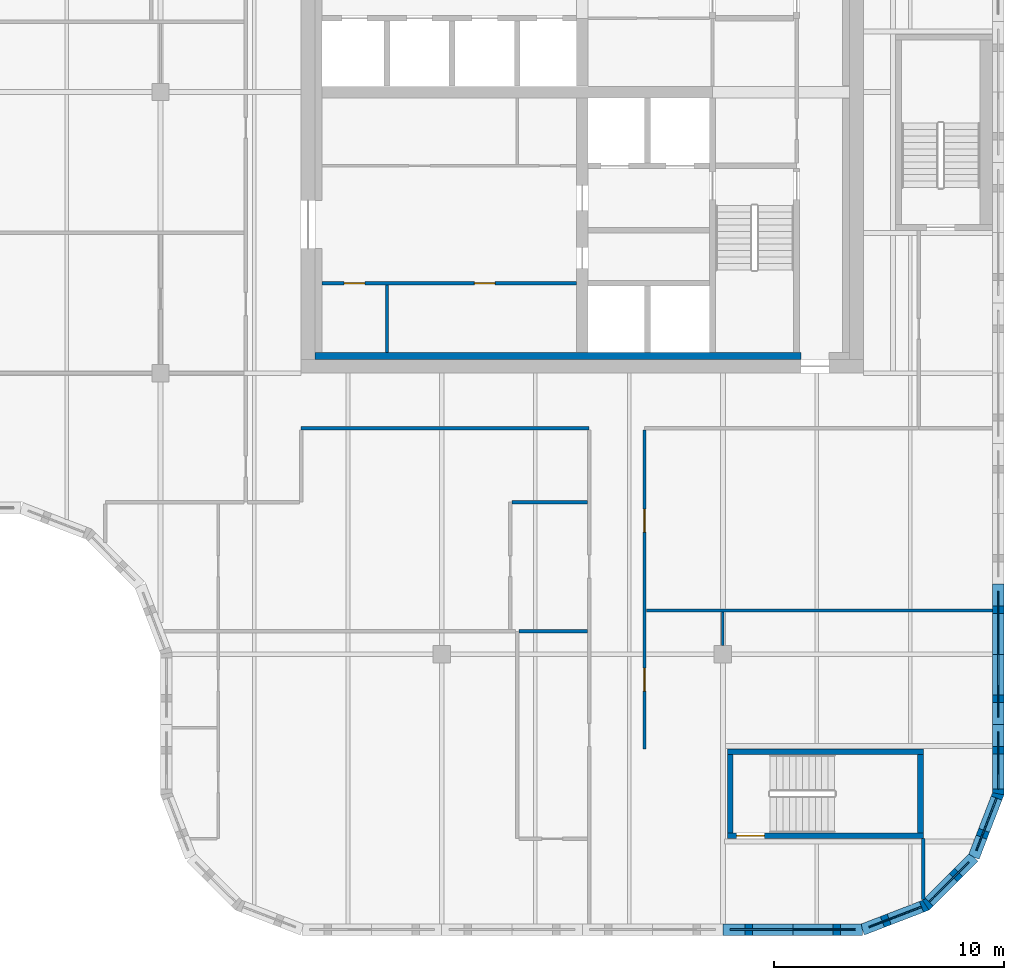
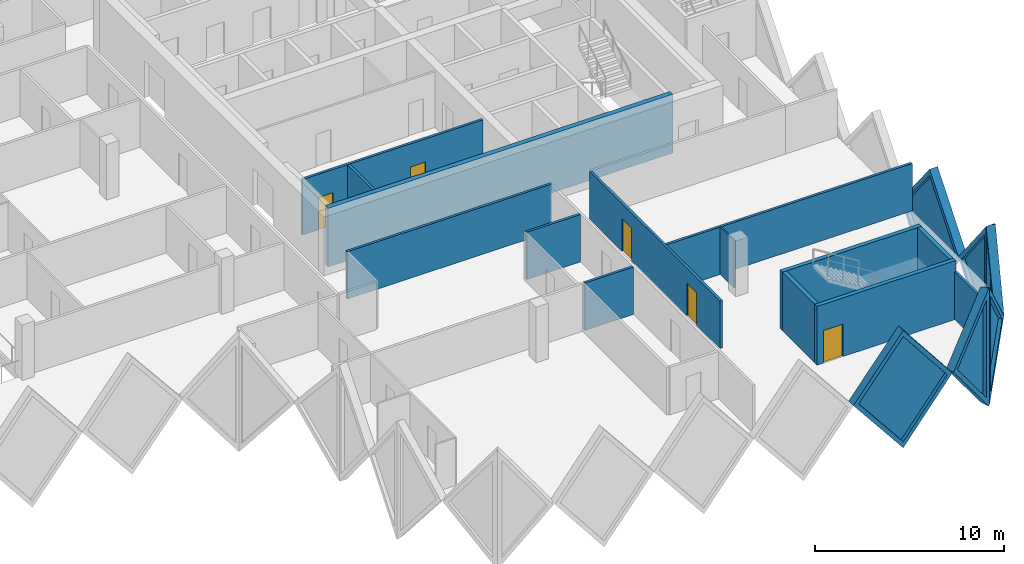
# One storey, part 5 of 12: 20 walls, 6 plates, 5 doors, 11 openings.
"""IFC4 building model written with IfcOpenShell, lengths in metres."""

from ifc_helpers import new_model, si_unit, direction, frame, frame_2d, origin, place, context, subcontext, project, spatial, polyline, rectangle, outline, extrude, faceted_brep, source, transform, mapped, material, layer, layer_set, type_object, element, fill, save


model = new_model("IFC4")

# Units and contexts
model_context = context("Model", 3, precision=1e-05, world=origin(), true_north=direction((0.0, 1.0)))
body_context = subcontext(model_context, "Body", "Model", "MODEL_VIEW")
ifc_project = project(units=[si_unit("LENGTHUNIT", "METRE"), si_unit("AREAUNIT", "SQUARE_METRE"), si_unit("VOLUMEUNIT", "CUBIC_METRE"), si_unit("PLANEANGLEUNIT", "RADIAN"), si_unit("MASSUNIT", "GRAM", prefix="KILO")], contexts=[model_context])

# Site, building, storey
site_placement = place(None, origin())
site = spatial("IfcSite", under=ifc_project, at=site_placement, CompositionType="ELEMENT")
building_placement = place(site_placement, origin())
building = spatial("IfcBuilding", under=site, at=building_placement, Name="Tessera Gate Towers", CompositionType="ELEMENT")
storey_placement = place(building_placement, frame((0.0, 0.0, 159.199951171875)))
storey = spatial("IfcBuildingStorey", under=building, at=storey_placement, Name="L39", CompositionType="ELEMENT", Elevation=159.199951171875)

# Wall, opening, door
ifc_material_1 = material(Name="Concrete C40/50", Category="concrete")
ifc_layer_1 = layer(ifc_material_1, 0.25)
ifc_layer_set_1 = layer_set([ifc_layer_1], Name="CORE ENCLOSURE WALL 250")
wall_type_1 = type_object("IfcWallType", Name="CORE ENCLOSURE WALL 250", PredefinedType="SOLIDWALL", material=ifc_layer_set_1)
wall_1_placement = place(storey_placement, frame((57.5, 4.324951171875, 0.0), z_axis=(0.0, 0.0, 1.0), x_axis=(-1.0, 0.0, 0.0)))
wall_1 = element("IfcWall", 1, at=wall_1_placement, inside=storey, type_object=wall_type_1, Name="L39 ST4 enclosure wall", PredefinedType="SOLIDWALL", context=body_context, shape_type="SweptSolid", body=[
    extrude(rectangle(XDim=8.5, YDim=0.25, at=frame_2d((4.25, 0.0))), origin(), (0.0, 0.0, 1.0), 3.800048828125),
])
shared_shape_1 = source(origin(), body_context, "Body", "SweptSolid", [
    extrude(rectangle(XDim=1.199951171875, YDim=2.10009765625, at=frame_2d((0.60009765625, 1.050048828125))), frame((0.0, 0.135009765625, 0.0), z_axis=(0.0, -1.0, 0.0), x_axis=(1.0, 0.0, 0.0)), (0.0, 0.0, 1.0), 0.27001953125),
])
opening_1_placement = place(wall_1_placement, frame((6.89990234375, 0.0, 0.0)))
opening_1 = element("IfcOpeningElement", 2, at=opening_1_placement, cuts=wall_1, Name="Opening SD-ST4-1", PredefinedType="OPENING", context=body_context, shape_type="MappedRepresentation", body=[
    mapped(shared_shape_1, transform((0.0, 0.0, 0.0), scale=1.0)),
])
ifc_material_2 = material(Name="Hollow steel fire door", Category="steel")
door_type_1 = type_object("IfcDoorType", Name="CORE DOOR SD 1200x2100", OperationType="NOTDEFINED", PredefinedType="DOOR", material=ifc_material_2)
shared_shape_2 = source(origin(), body_context, "Body", "SweptSolid", [
    extrude(rectangle(XDim=1.199951171875, YDim=2.10009765625, at=frame_2d((0.60009765625, 1.050048828125))), frame((0.0, 0.02490234375, 0.0), z_axis=(0.0, -1.0, 0.0), x_axis=(1.0, 0.0, 0.0)), (0.0, 0.0, 1.0), 0.050048828125),
])
door_1_placement = place(opening_1_placement, origin())
door_1 = element("IfcDoor", 3, at=door_1_placement, inside=storey, type_object=door_type_1, Name="Stair door", OperationType="SINGLE_SWING_RIGHT", OverallHeight=2.10009765625, OverallWidth=1.199951171875, PredefinedType="DOOR", context=body_context, shape_type="MappedRepresentation", body=[
    mapped(shared_shape_2, transform((0.0, 0.0, 0.0), scale=1.0)),
])
fill(opening_1, door_1)

# Walls
wall_2_placement = place(storey_placement, frame((49.125, 4.449951171875, 0.0), z_axis=(0.0, 0.0, 1.0), x_axis=(0.0, 1.0, 0.0)))
element("IfcWall", 4, at=wall_2_placement, inside=storey, type_object=wall_type_1, Name="L39 ST4 enclosure wall", PredefinedType="SOLIDWALL", context=body_context, shape_type="SweptSolid", body=[
    extrude(rectangle(XDim=3.400146484375, YDim=0.25, at=frame_2d((1.7001953125, 0.0))), origin(), (0.0, 0.0, 1.0), 3.800048828125),
])
wall_3_placement = place(storey_placement, frame((49.0, 7.97509765625, 0.0), z_axis=(0.0, 0.0, 1.0), x_axis=(1.0, 0.0, 0.0)))
element("IfcWall", 5, at=wall_3_placement, inside=storey, type_object=wall_type_1, Name="L39 ST4 enclosure wall", PredefinedType="SOLIDWALL", context=body_context, shape_type="SweptSolid", body=[
    extrude(rectangle(XDim=8.5, YDim=0.25, at=frame_2d((4.25, 0.0))), origin(), (0.0, 0.0, 1.0), 3.800048828125),
])
wall_4_placement = place(storey_placement, frame((57.375, 7.85009765625, 0.0), z_axis=(0.0, 0.0, 1.0), x_axis=(0.0, -1.0, 0.0)))
element("IfcWall", 6, at=wall_4_placement, inside=storey, type_object=wall_type_1, Name="L39 ST4 enclosure wall", PredefinedType="SOLIDWALL", context=body_context, shape_type="SweptSolid", body=[
    extrude(rectangle(XDim=3.400146484375, YDim=0.25, at=frame_2d((1.7001953125, 0.0))), origin(), (0.0, 0.0, 1.0), 3.800048828125),
])
ifc_material_3 = material(Name="Concrete C50/60", Category="concrete")
ifc_layer_2 = layer(ifc_material_3, 0.300048828125)
ifc_layer_set_2 = layer_set([ifc_layer_2], Name="CORE WALL THICKENING 300")
wall_type_2 = type_object("IfcWallType", Name="CORE WALL THICKENING 300", PredefinedType="SOLIDWALL", material=ifc_layer_set_2)
wall_5_placement = place(storey_placement, frame((31.10009765625, 25.14990234375, 0.0), z_axis=(0.0, 0.0, 1.0), x_axis=(1.0, 0.0, 0.0)))
element("IfcWall", 7, at=wall_5_placement, inside=storey, type_object=wall_type_2, Name="Core wall thickening S L39", PredefinedType="SOLIDWALL", context=body_context, shape_type="SweptSolid", body=[
    extrude(rectangle(XDim=21.099853515625, YDim=0.300048828125, at=frame_2d((10.5498046875, 0.0))), origin(), (0.0, 0.0, 1.0), 3.800048828125),
])
ifc_material_4 = material(Name="Gypsum board on steel studs, mineral wool", Category="steel")
ifc_layer_3 = layer(ifc_material_4, 0.14990234375)
ifc_layer_set_3 = layer_set([ifc_layer_3], Name="CORRIDOR WALL 150")
wall_type_3 = type_object("IfcWallType", Name="CORRIDOR WALL 150", PredefinedType="PARTITIONING", material=ifc_layer_set_3)
wall_6_placement = place(storey_placement, frame((57.5, 1.55908203125, 0.0), z_axis=(0.0, 0.0, 1.0), x_axis=(0.0, 1.0, 0.0)))
element("IfcWall", 8, at=wall_6_placement, inside=storey, type_object=wall_type_3, Name="T1-L39-PW-002", PredefinedType="PARTITIONING", context=body_context, shape_type="SweptSolid", body=[
    extrude(rectangle(XDim=2.640869140625, YDim=0.14990234375, at=frame_2d((1.3203125, 0.0))), origin(), (0.0, 0.0, 1.0), 3.067138671875),
])

# Wall, openings, doors
wall_7_placement = place(storey_placement, frame((45.39990234375, 21.924072265625, 0.0), z_axis=(0.0, 0.0, 1.0), x_axis=(0.0, -1.0, 0.0)))
wall_7 = element("IfcWall", 9, at=wall_7_placement, inside=storey, type_object=wall_type_3, Name="T1-L39-PW-007", PredefinedType="PARTITIONING", context=body_context, shape_type="SweptSolid", body=[
    extrude(rectangle(XDim=13.823974609375, YDim=0.14990234375, at=frame_2d((6.912109375, 0.0))), origin(), (0.0, 0.0, 1.0), 3.067138671875),
])
shared_shape_3 = source(origin(), body_context, "Body", "SweptSolid", [
    extrude(rectangle(XDim=1.0, YDim=2.10009765625, at=frame_2d((0.5, 1.050048828125))), frame((0.0, 0.0849609375, 0.0), z_axis=(0.0, -1.0, 0.0), x_axis=(1.0, 0.0, 0.0)), (0.0, 0.0, 1.0), 0.169921875),
])
opening_2_placement = place(wall_7_placement, frame((10.323974609375, 0.0, 0.0)))
opening_2 = element("IfcOpeningElement", 10, at=opening_2_placement, cuts=wall_7, Name="Opening D2100FD60-A14-04", PredefinedType="OPENING", context=body_context, shape_type="MappedRepresentation", body=[
    mapped(shared_shape_3, transform((0.0, 0.0, 0.0), scale=1.0)),
])
opening_3_placement = place(wall_7_placement, frame((3.424072265625, 0.0, 0.0)))
opening_3 = element("IfcOpeningElement", 11, at=opening_3_placement, cuts=wall_7, Name="Opening D2100FD60-A14-07", PredefinedType="OPENING", context=body_context, shape_type="MappedRepresentation", body=[
    mapped(shared_shape_3, transform((0.0, 0.0, 0.0), scale=1.0)),
])
ifc_material_5 = material(Name="Timber door leaf in steel frame", Category="steel")
door_type_2 = type_object("IfcDoorType", Name="TENANCY ENTRANCE DOOR 1000 FD60", OperationType="NOTDEFINED", PredefinedType="DOOR", material=ifc_material_5)
shared_shape_4 = source(origin(), body_context, "Body", "SweptSolid", [
    extrude(rectangle(XDim=1.0, YDim=2.10009765625, at=frame_2d((0.5, 1.050048828125))), frame((0.0, 0.02490234375, 0.0), z_axis=(0.0, -1.0, 0.0), x_axis=(1.0, 0.0, 0.0)), (0.0, 0.0, 1.0), 0.050048828125),
])
door_2_placement = place(opening_2_placement, origin())
door_2 = element("IfcDoor", 12, at=door_2_placement, inside=storey, type_object=door_type_2, Name="T1-L39-PD-015", OperationType="SINGLE_SWING_RIGHT", OverallHeight=2.10009765625, OverallWidth=1.0, PredefinedType="DOOR", context=body_context, shape_type="MappedRepresentation", body=[
    mapped(shared_shape_4, transform((0.0, 0.0, 0.0), scale=1.0)),
])
fill(opening_2, door_2)
door_3_placement = place(opening_3_placement, origin())
door_3 = element("IfcDoor", 13, at=door_3_placement, inside=storey, type_object=door_type_2, Name="T1-L39-PD-020", OperationType="SINGLE_SWING_RIGHT", OverallHeight=2.10009765625, OverallWidth=1.0, PredefinedType="DOOR", context=body_context, shape_type="MappedRepresentation", body=[
    mapped(shared_shape_4, transform((0.0, 0.0, 0.0), scale=1.0)),
])
fill(opening_3, door_3)

# Walls
wall_8_placement = place(storey_placement, frame((30.5, 22.0, 0.0), z_axis=(0.0, 0.0, 1.0), x_axis=(1.0, 0.0, 0.0)))
element("IfcWall", 14, at=wall_8_placement, inside=storey, type_object=wall_type_3, Name="T1-L39-PW-022", PredefinedType="PARTITIONING", context=body_context, shape_type="SweptSolid", body=[
    extrude(rectangle(XDim=12.5, YDim=0.14990234375, at=frame_2d((6.25, 0.0))), origin(), (0.0, 0.0, 1.0), 3.067138671875),
])
ifc_material_6 = material(Name="Gypsum board on steel studs", Category="steel")
ifc_layer_4 = layer(ifc_material_6, 0.10009765625)
ifc_layer_set_4 = layer_set([ifc_layer_4], Name="PARTITION 100")
wall_type_4 = type_object("IfcWallType", Name="PARTITION 100", PredefinedType="PARTITIONING", material=ifc_layer_set_4)
wall_9_placement = place(storey_placement, frame((48.800048828125, 12.574951171875, 0.0), z_axis=(0.0, 0.0, 1.0), x_axis=(0.0, 1.0, 0.0)))
element("IfcWall", 15, at=wall_9_placement, inside=storey, type_object=wall_type_4, Name="T1-L39-PW-009", PredefinedType="PARTITIONING", context=body_context, shape_type="SweptSolid", body=[
    extrude(rectangle(XDim=1.449951171875, YDim=0.10009765625, at=frame_2d((0.72509765625, 0.0))), origin(), (0.0, 0.0, 1.0), 3.067138671875),
])

# Wall, openings, doors
ifc_material_7 = material(Name="Gypsum board on steel studs", Category="steel")
ifc_layer_5 = layer(ifc_material_7, 0.14990234375)
ifc_layer_set_5 = layer_set([ifc_layer_5], Name="SERVICE ROOM WALL 150")
wall_type_5 = type_object("IfcWallType", Name="SERVICE ROOM WALL 150", PredefinedType="PARTITIONING", material=ifc_layer_set_5)
wall_10_placement = place(storey_placement, frame((42.449951171875, 28.300048828125, 0.0), z_axis=(0.0, 0.0, 1.0), x_axis=(-1.0, 0.0, 0.0)))
wall_10 = element("IfcWall", 16, at=wall_10_placement, inside=storey, type_object=wall_type_5, Name="L39 service room wall", PredefinedType="PARTITIONING", context=body_context, shape_type="SweptSolid", body=[
    extrude(rectangle(XDim=11.050048828125, YDim=0.14990234375, at=frame_2d((5.52490234375, 0.0))), origin(), (0.0, 0.0, 1.0), 3.60009765625),
])
shared_shape_5 = source(origin(), body_context, "Body", "SweptSolid", [
    extrude(rectangle(XDim=0.89990234375, YDim=2.10009765625, at=frame_2d((0.449951171875, 1.050048828125))), frame((0.0, 0.0849609375, 0.0), z_axis=(0.0, -1.0, 0.0), x_axis=(1.0, 0.0, 0.0)), (0.0, 0.0, 1.0), 0.169921875),
])
opening_4_placement = place(wall_10_placement, frame((9.1875, 0.0, 0.0)))
opening_4 = element("IfcOpeningElement", 17, at=opening_4_placement, cuts=wall_10, Name="Opening RD-T1-26-07", PredefinedType="OPENING", context=body_context, shape_type="MappedRepresentation", body=[
    mapped(shared_shape_5, transform((0.0, 0.0, 0.0), scale=1.0)),
])
opening_5_placement = place(wall_10_placement, frame((3.53759765625, 0.0, 0.0)))
opening_5 = element("IfcOpeningElement", 18, at=opening_5_placement, cuts=wall_10, Name="Opening RD-T1-26-08", PredefinedType="OPENING", context=body_context, shape_type="MappedRepresentation", body=[
    mapped(shared_shape_5, transform((0.0, 0.0, 0.0), scale=1.0)),
])
ifc_material_8 = material(Name="Hollow steel fire door", Category="steel")
door_type_3 = type_object("IfcDoorType", Name="CORE DOOR RD 900x2100", OperationType="NOTDEFINED", PredefinedType="DOOR", material=ifc_material_8)
shared_shape_6 = source(origin(), body_context, "Body", "SweptSolid", [
    extrude(rectangle(XDim=0.89990234375, YDim=2.10009765625, at=frame_2d((0.449951171875, 1.050048828125))), frame((0.0, 0.02490234375, 0.0), z_axis=(0.0, -1.0, 0.0), x_axis=(1.0, 0.0, 0.0)), (0.0, 0.0, 1.0), 0.050048828125),
])
door_4_placement = place(opening_4_placement, origin())
door_4 = element("IfcDoor", 19, at=door_4_placement, inside=storey, type_object=door_type_3, Name="Core room door", OperationType="SINGLE_SWING_RIGHT", OverallHeight=2.10009765625, OverallWidth=0.89990234375, PredefinedType="DOOR", context=body_context, shape_type="MappedRepresentation", body=[
    mapped(shared_shape_6, transform((0.0, 0.0, 0.0), scale=1.0)),
])
fill(opening_4, door_4)
door_5_placement = place(opening_5_placement, origin())
door_5 = element("IfcDoor", 20, at=door_5_placement, inside=storey, type_object=door_type_3, Name="Core room door", OperationType="SINGLE_SWING_LEFT", OverallHeight=2.10009765625, OverallWidth=0.89990234375, PredefinedType="DOOR", context=body_context, shape_type="MappedRepresentation", body=[
    mapped(shared_shape_6, transform((0.0, 0.0, 0.0), scale=1.0)),
])
fill(opening_5, door_5)

# Walls
wall_11_placement = place(storey_placement, frame((34.22509765625, 25.300048828125, 0.0), z_axis=(0.0, 0.0, 1.0), x_axis=(0.0, 1.0, 0.0)))
element("IfcWall", 21, at=wall_11_placement, inside=storey, type_object=wall_type_5, Name="L39 service room wall", PredefinedType="PARTITIONING", context=body_context, shape_type="SweptSolid", body=[
    extrude(rectangle(XDim=2.925048828125, YDim=0.14990234375, at=frame_2d((1.46240234375, 0.0))), origin(), (0.0, 0.0, 1.0), 3.60009765625),
])
ifc_material_9 = material(Name="Gypsum board on steel studs, mineral wool", Category="steel")
ifc_layer_6 = layer(ifc_material_9, 0.14990234375)
ifc_layer_set_6 = layer_set([ifc_layer_6], Name="TENANCY WALL 150")
wall_type_6 = type_object("IfcWallType", Name="TENANCY WALL 150", PredefinedType="PARTITIONING", material=ifc_layer_set_6)
wall_12_placement = place(storey_placement, frame((39.950927734375, 13.199951171875, 0.0), z_axis=(0.0, 0.0, 1.0), x_axis=(1.0, 0.0, 0.0)))
element("IfcWall", 22, at=wall_12_placement, inside=storey, type_object=wall_type_6, Name="T1-L39-PW-011", PredefinedType="PARTITIONING", context=body_context, shape_type="SweptSolid", body=[
    extrude(rectangle(XDim=2.97314453125, YDim=0.14990234375, at=frame_2d((1.486572265625, 0.0))), origin(), (0.0, 0.0, 1.0), 3.067138671875),
])
wall_13_placement = place(storey_placement, frame((45.47607421875, 14.10009765625, 0.0), z_axis=(0.0, 0.0, 1.0), x_axis=(1.0, 0.0, 0.0)))
element("IfcWall", 23, at=wall_13_placement, inside=storey, type_object=wall_type_6, Name="T1-L39-PW-014", PredefinedType="PARTITIONING", context=body_context, shape_type="SweptSolid", body=[
    extrude(rectangle(XDim=15.02392578125, YDim=0.14990234375, at=frame_2d((7.511962890625, 0.0))), origin(), (0.0, 0.0, 1.0), 3.067138671875),
])
wall_14_placement = place(storey_placement, frame((39.65087890625, 18.800048828125, 0.0), z_axis=(0.0, 0.0, 1.0), x_axis=(1.0, 0.0, 0.0)))
element("IfcWall", 24, at=wall_14_placement, inside=storey, type_object=wall_type_6, Name="T1-L39-PW-020", PredefinedType="PARTITIONING", context=body_context, shape_type="SweptSolid", body=[
    extrude(rectangle(XDim=3.273193359375, YDim=0.14990234375, at=frame_2d((1.63671875, 0.0))), origin(), (0.0, 0.0, 1.0), 3.067138671875),
])

# Wall, opening, plate
ifc_material_10 = material(Name="Precast concrete C60/75 white", Category="concrete")
ifc_layer_7 = layer(ifc_material_10, 0.5)
ifc_layer_set_7 = layer_set([ifc_layer_7], Name="TS1 tessera")
wall_type_7 = type_object("IfcWallType", Name="TS1 tessera", PredefinedType="SOLIDWALL", material=ifc_layer_set_7)
shared_shape_7 = source(origin(), body_context, "Body", "SweptSolid", [
    extrude(outline(polyline([(3.050048828125, 0.0), (6.10009765625, 3.800048828125), (3.050048828125, 7.60009765625), (0.0, 3.800048828125), (3.050048828125, 0.0)])), frame((0.0, 0.25, 0.0), z_axis=(0.0, -1.0, 0.0), x_axis=(1.0, 0.0, 0.0)), (0.0, 0.0, 1.0), 0.5),
])
wall_15_placement = place(storey_placement, frame((60.75, 9.14990234375, -3.800048828125), z_axis=(0.0, 0.0, 1.0), x_axis=(0.0, 1.0, 0.0)))
wall_15 = element("IfcWall", 25, at=wall_15_placement, inside=storey, type_object=wall_type_7, Name="Precast tessera T1 TS1-0648", PredefinedType="SOLIDWALL", context=body_context, shape_type="MappedRepresentation", body=[
    mapped(shared_shape_7, transform((0.0, 0.0, 0.0), scale=1.0)),
])
shared_shape_8 = source(origin(), body_context, "Body", "SweptSolid", [
    extrude(outline(polyline([(3.050048828125, 0.3994140625), (5.779541015625, 3.800048828125), (3.050048828125, 7.20068359375), (0.320556640625, 3.800048828125), (3.050048828125, 0.3994140625)])), frame((0.0, 0.260009765625, 0.0), z_axis=(0.0, -1.0, 0.0), x_axis=(1.0, 0.0, 0.0)), (0.0, 0.0, 1.0), 0.52001953125),
])
opening_6_placement = place(wall_15_placement, origin())
opening_6 = element("IfcOpeningElement", 26, at=opening_6_placement, cuts=wall_15, Name="Opening T1-PL2-1324", PredefinedType="OPENING", context=body_context, shape_type="MappedRepresentation", body=[
    mapped(shared_shape_8, transform((0.0, 0.0, 0.0), scale=1.0)),
])
ifc_material_11 = material(Name="Low-e laminated glass", Category="glass")
ifc_layer_8 = layer(ifc_material_11, 0.06005859375)
ifc_layer_set_8 = layer_set([ifc_layer_8], Name="PL2 rhombic pane")
plate_type = type_object("IfcPlateType", Name="PL2 rhombic pane", PredefinedType="SHEET", material=ifc_layer_set_8)
shared_shape_9 = source(origin(), body_context, "Body", "SweptSolid", [
    extrude(outline(polyline([(3.050048828125, 0.3994140625), (5.779541015625, 3.800048828125), (3.050048828125, 7.20068359375), (0.320556640625, 3.800048828125), (3.050048828125, 0.3994140625)])), frame((0.0, 0.030029296875, 0.0), z_axis=(0.0, -1.0, 0.0), x_axis=(1.0, 0.0, 0.0)), (0.0, 0.0, 1.0), 0.06005859375),
])
plate_1_placement = place(opening_6_placement, origin())
plate_1 = element("IfcPlate", 27, at=plate_1_placement, inside=storey, type_object=plate_type, Name="Glass pane T1 PL2-1324", PredefinedType="SHEET", context=body_context, shape_type="MappedRepresentation", body=[
    mapped(shared_shape_9, transform((0.0, 0.0, 0.0), scale=1.0)),
])
fill(opening_6, plate_1)

shared_shape_10 = source(origin(), body_context, "Body", "Brep", [
    faceted_brep([(3.050048828125, -0.25, 0.0), (6.053466796875, -0.25, 3.800048828125), (3.050048828125, -0.25, 7.60009765625), (0.0, -0.25, 3.800048828125), (0.0, 0.25, 3.800048828125), (3.050048828125, 0.25, 7.60009765625), (6.0068359375, 0.25, 3.85888671875), (6.0068359375, 0.25, 3.7412109375), (3.050048828125, 0.25, 0.0), (6.053466796875, 0.0, 3.800048828125)], [[[0, 1, 2, 3]], [[4, 5, 6, 7, 8]], [[8, 7, 9, 1, 0]], [[6, 5, 2, 1, 9]], [[5, 4, 3, 2]], [[4, 8, 0, 3]], [[9, 7, 6]]]),
])
wall_16_placement = place(storey_placement, frame((48.800048828125, 0.25, -3.800048828125), z_axis=(0.0, 0.0, 1.0), x_axis=(1.0, 0.0, 0.0)))
wall_16 = element("IfcWall", 28, at=wall_16_placement, inside=storey, type_object=wall_type_7, Name="Precast tessera T1 TS1-0647", PredefinedType="SOLIDWALL", context=body_context, shape_type="MappedRepresentation", body=[
    mapped(shared_shape_10, transform((0.0, 0.0, 0.0), scale=1.0)),
])
shared_shape_11 = source(origin(), body_context, "Body", "SweptSolid", [
    extrude(outline(polyline([(3.048583984375, 0.4013671875), (5.73486328125, 3.800048828125), (3.048583984375, 7.19873046875), (0.320556640625, 3.800048828125), (3.048583984375, 0.4013671875)])), frame((0.0, 0.260009765625, 0.0), z_axis=(0.0, -1.0, 0.0), x_axis=(1.0, 0.0, 0.0)), (0.0, 0.0, 1.0), 0.52001953125),
])
opening_7_placement = place(wall_16_placement, origin())
opening_7 = element("IfcOpeningElement", 29, at=opening_7_placement, cuts=wall_16, Name="Opening T1-PL2-1319", PredefinedType="OPENING", context=body_context, shape_type="MappedRepresentation", body=[
    mapped(shared_shape_11, transform((0.0, 0.0, 0.0), scale=1.0)),
])
shared_shape_12 = source(origin(), body_context, "Body", "SweptSolid", [
    extrude(outline(polyline([(3.048583984375, 0.4013671875), (5.73486328125, 3.800048828125), (3.048583984375, 7.19873046875), (0.320556640625, 3.800048828125), (3.048583984375, 0.4013671875)])), frame((0.0, 0.030029296875, 0.0), z_axis=(0.0, -1.0, 0.0), x_axis=(1.0, 0.0, 0.0)), (0.0, 0.0, 1.0), 0.06005859375),
])
plate_2_placement = place(opening_7_placement, origin())
plate_2 = element("IfcPlate", 30, at=plate_2_placement, inside=storey, type_object=plate_type, Name="Glass pane T1 PL2-1319", PredefinedType="SHEET", context=body_context, shape_type="MappedRepresentation", body=[
    mapped(shared_shape_12, transform((0.0, 0.0, 0.0), scale=1.0)),
])
fill(opening_7, plate_2)

ifc_material_12 = material(Name="Precast concrete C60/75 white", Category="concrete")
ifc_layer_9 = layer(ifc_material_12, 0.5)
ifc_layer_set_9 = layer_set([ifc_layer_9], Name="TS3 corner tessera")
wall_type_8 = type_object("IfcWallType", Name="TS3 corner tessera", PredefinedType="SOLIDWALL", material=ifc_layer_set_9)
shared_shape_13 = source(origin(), body_context, "Body", "Brep", [
    faceted_brep([(2.950439453125, -0.25, 0.0), (3.00341796875, -0.25, 0.068359375), (3.00341796875, -0.25, 7.53173828125), (2.950439453125, -0.25, 7.60009765625), (0.0, -0.25, 3.800048828125), (0.046630859375, 0.25, 3.860107421875), (2.897705078125, 0.25, 7.531982421875), (2.897705078125, 0.25, 0.068115234375), (0.046630859375, 0.25, 3.739990234375), (2.950439453125, 0.00048828125, 0.0), (2.950439453125, 0.00048828125, 7.60009765625), (0.0, 0.0, 3.800048828125)], [[[0, 1, 2, 3, 4]], [[5, 6, 7, 8]], [[1, 0, 9]], [[10, 3, 2]], [[6, 5, 11, 4, 3, 10]], [[8, 7, 9, 0, 4, 11]], [[8, 11, 5]], [[1, 9, 7, 6, 10, 2]]]),
])
wall_17_placement = place(storey_placement, frame((54.853515625, 0.25, -3.800048828125), z_axis=(0.0, 0.0, 1.0), x_axis=(0.932970071518, 0.359953949349, 0.0)))
wall_17 = element("IfcWall", 31, at=wall_17_placement, inside=storey, type_object=wall_type_8, Name="Precast corner tessera T1 TS3-0889", PredefinedType="SOLIDWALL", context=body_context, shape_type="MappedRepresentation", body=[
    mapped(shared_shape_13, transform((0.0, 0.0, 0.0), scale=1.0)),
])
shared_shape_14 = source(origin(), body_context, "Body", "SweptSolid", [
    extrude(outline(polyline([(2.75048828125, 6.934814453125), (0.31640625, 3.800048828125), (2.75048828125, 0.665283203125), (2.75048828125, 6.934814453125)])), frame((0.0, 0.260009765625, 0.0), z_axis=(0.0, -1.0, 0.0), x_axis=(1.0, 0.0, 0.0)), (0.0, 0.0, 1.0), 0.52001953125),
])
opening_8_placement = place(wall_17_placement, origin())
opening_8 = element("IfcOpeningElement", 32, at=opening_8_placement, cuts=wall_17, Name="Opening T1-PL2-1320", PredefinedType="OPENING", context=body_context, shape_type="MappedRepresentation", body=[
    mapped(shared_shape_14, transform((0.0, 0.0, 0.0), scale=1.0)),
])
shared_shape_15 = source(origin(), body_context, "Body", "SweptSolid", [
    extrude(outline(polyline([(2.75048828125, 6.934814453125), (0.31640625, 3.800048828125), (2.75048828125, 0.665283203125), (2.75048828125, 6.934814453125)])), frame((0.0, 0.030029296875, 0.0), z_axis=(0.0, -1.0, 0.0), x_axis=(1.0, 0.0, 0.0)), (0.0, 0.0, 1.0), 0.06005859375),
])
plate_3_placement = place(opening_8_placement, origin())
plate_3 = element("IfcPlate", 33, at=plate_3_placement, inside=storey, type_object=plate_type, Name="Glass pane T1 PL2-1320", PredefinedType="SHEET", context=body_context, shape_type="MappedRepresentation", body=[
    mapped(shared_shape_15, transform((0.0, 0.0, 0.0), scale=1.0)),
])
fill(opening_8, plate_3)

shared_shape_16 = source(origin(), body_context, "Body", "Brep", [
    faceted_brep([(0.052978515625, -0.25, 0.0), (2.9970703125, -0.25, 3.800048828125), (0.052978515625, -0.25, 7.60009765625), (0.0, -0.25, 7.531982421875), (0.0, -0.25, 0.068115234375), (0.10595703125, 0.25, 7.53173828125), (2.944091796875, 0.25, 3.8681640625), (2.944091796875, 0.25, 3.73193359375), (0.10595703125, 0.25, 0.068359375), (2.9970703125, 0.000244140625, 3.800048828125), (0.052978515625, 0.0, 0.0), (0.052978515625, 0.0, 7.60009765625)], [[[0, 1, 2, 3, 4]], [[5, 6, 7, 8]], [[8, 7, 9, 1, 0, 10]], [[6, 5, 11, 2, 1, 9]], [[3, 2, 11]], [[10, 0, 4]], [[8, 10, 4, 3, 11, 5]], [[9, 7, 6]]]),
])
wall_18_placement = place(storey_placement, frame((57.56884765625, 1.2744140625, -3.800048828125), z_axis=(0.0, 0.0, 1.0), x_axis=(0.707066050402, 0.707147509625, 0.0)))
wall_18 = element("IfcWall", 34, at=wall_18_placement, inside=storey, type_object=wall_type_8, Name="Precast corner tessera T1 TS3-0890", PredefinedType="SOLIDWALL", context=body_context, shape_type="MappedRepresentation", body=[
    mapped(shared_shape_16, transform((0.0, 0.0, 0.0), scale=1.0)),
])
shared_shape_17 = source(origin(), body_context, "Body", "SweptSolid", [
    extrude(outline(polyline([(0.2529296875, 0.66650390625), (2.680908203125, 3.800048828125), (0.2529296875, 6.933837890625), (0.2529296875, 0.66650390625)])), frame((0.0, 0.260009765625, 0.0), z_axis=(0.0, -1.0, 0.0), x_axis=(1.0, 0.0, 0.0)), (0.0, 0.0, 1.0), 0.52001953125),
])
opening_9_placement = place(wall_18_placement, origin())
opening_9 = element("IfcOpeningElement", 35, at=opening_9_placement, cuts=wall_18, Name="Opening T1-PL2-1321", PredefinedType="OPENING", context=body_context, shape_type="MappedRepresentation", body=[
    mapped(shared_shape_17, transform((0.0, 0.0, 0.0), scale=1.0)),
])
shared_shape_18 = source(origin(), body_context, "Body", "SweptSolid", [
    extrude(outline(polyline([(0.2529296875, 0.66650390625), (2.680908203125, 3.800048828125), (0.2529296875, 6.933837890625), (0.2529296875, 0.66650390625)])), frame((0.0, 0.030029296875, 0.0), z_axis=(0.0, -1.0, 0.0), x_axis=(1.0, 0.0, 0.0)), (0.0, 0.0, 1.0), 0.06005859375),
])
plate_4_placement = place(opening_9_placement, origin())
plate_4 = element("IfcPlate", 36, at=plate_4_placement, inside=storey, type_object=plate_type, Name="Glass pane T1 PL2-1321", PredefinedType="SHEET", context=body_context, shape_type="MappedRepresentation", body=[
    mapped(shared_shape_18, transform((0.0, 0.0, 0.0), scale=1.0)),
])
fill(opening_9, plate_4)

shared_shape_19 = source(origin(), body_context, "Body", "Brep", [
    faceted_brep([(2.950439453125, -0.25, 0.0), (2.9970703125, -0.25, 0.05908203125), (2.9970703125, -0.25, 7.541015625), (2.950439453125, -0.25, 7.60009765625), (0.0, -0.25, 3.800048828125), (0.052978515625, 0.25, 3.8681640625), (2.904052734375, 0.25, 7.540283203125), (2.904052734375, 0.25, 0.059814453125), (0.052978515625, 0.25, 3.73193359375), (2.950439453125, 0.00048828125, 0.0), (2.950439453125, 0.00048828125, 7.60009765625), (0.0, 0.0, 3.800048828125)], [[[0, 1, 2, 3, 4]], [[5, 6, 7, 8]], [[1, 0, 9]], [[10, 3, 2]], [[6, 5, 11, 4, 3, 10]], [[8, 7, 9, 0, 4, 11]], [[8, 11, 5]], [[1, 9, 7, 6, 10, 2]]]),
])
wall_19_placement = place(storey_placement, frame((59.68798828125, 3.393798828125, -3.800048828125), z_axis=(0.0, 0.0, 1.0), x_axis=(0.359972353723, 0.932962970624, 0.0)))
wall_19 = element("IfcWall", 37, at=wall_19_placement, inside=storey, type_object=wall_type_8, Name="Precast corner tessera T1 TS3-0891", PredefinedType="SOLIDWALL", context=body_context, shape_type="MappedRepresentation", body=[
    mapped(shared_shape_19, transform((0.0, 0.0, 0.0), scale=1.0)),
])
opening_10_placement = place(wall_19_placement, origin())
opening_10 = element("IfcOpeningElement", 38, at=opening_10_placement, cuts=wall_19, Name="Opening T1-PL2-1322", PredefinedType="OPENING", context=body_context, shape_type="MappedRepresentation", body=[
    mapped(shared_shape_14, transform((0.0, 0.0, 0.0), scale=1.0)),
])
plate_5_placement = place(opening_10_placement, origin())
plate_5 = element("IfcPlate", 39, at=plate_5_placement, inside=storey, type_object=plate_type, Name="Glass pane T1 PL2-1322", PredefinedType="SHEET", context=body_context, shape_type="MappedRepresentation", body=[
    mapped(shared_shape_15, transform((0.0, 0.0, 0.0), scale=1.0)),
])
fill(opening_10, plate_5)

shared_shape_20 = source(origin(), body_context, "Body", "Brep", [
    faceted_brep([(0.046630859375, -0.25, 0.0), (3.050048828125, -0.25, 3.800048828125), (0.046630859375, -0.25, 7.60009765625), (0.0, -0.25, 7.5400390625), (0.0, -0.25, 0.06005859375), (0.09326171875, 0.25, 7.541259765625), (3.050048828125, 0.25, 3.800048828125), (0.09326171875, 0.25, 0.058837890625), (0.046630859375, 0.0, 0.0), (0.046630859375, 0.0, 7.60009765625)], [[[0, 1, 2, 3, 4]], [[5, 6, 7]], [[7, 6, 1, 0, 8]], [[6, 5, 9, 2, 1]], [[3, 2, 9]], [[8, 0, 4]], [[7, 8, 4, 3, 9, 5]]]),
])
wall_20_placement = place(storey_placement, frame((60.75, 6.099853515625, -3.800048828125), z_axis=(0.0, 0.0, 1.0), x_axis=(0.0, 1.0, 0.0)))
wall_20 = element("IfcWall", 40, at=wall_20_placement, inside=storey, type_object=wall_type_8, Name="Precast corner tessera T1 TS3-0892", PredefinedType="SOLIDWALL", context=body_context, shape_type="MappedRepresentation", body=[
    mapped(shared_shape_20, transform((0.0, 0.0, 0.0), scale=1.0)),
])
shared_shape_21 = source(origin(), body_context, "Body", "SweptSolid", [
    extrude(outline(polyline([(0.24658203125, 0.65625), (2.7314453125, 3.800048828125), (0.24658203125, 6.94384765625), (0.24658203125, 0.65625)])), frame((0.0, 0.260009765625, 0.0), z_axis=(0.0, -1.0, 0.0), x_axis=(1.0, 0.0, 0.0)), (0.0, 0.0, 1.0), 0.52001953125),
])
opening_11_placement = place(wall_20_placement, origin())
opening_11 = element("IfcOpeningElement", 41, at=opening_11_placement, cuts=wall_20, Name="Opening T1-PL2-1323", PredefinedType="OPENING", context=body_context, shape_type="MappedRepresentation", body=[
    mapped(shared_shape_21, transform((0.0, 0.0, 0.0), scale=1.0)),
])
shared_shape_22 = source(origin(), body_context, "Body", "SweptSolid", [
    extrude(outline(polyline([(0.24658203125, 0.65625), (2.7314453125, 3.800048828125), (0.24658203125, 6.94384765625), (0.24658203125, 0.65625)])), frame((0.0, 0.030029296875, 0.0), z_axis=(0.0, -1.0, 0.0), x_axis=(1.0, 0.0, 0.0)), (0.0, 0.0, 1.0), 0.06005859375),
])
plate_6_placement = place(opening_11_placement, origin())
plate_6 = element("IfcPlate", 42, at=plate_6_placement, inside=storey, type_object=plate_type, Name="Glass pane T1 PL2-1323", PredefinedType="SHEET", context=body_context, shape_type="MappedRepresentation", body=[
    mapped(shared_shape_22, transform((0.0, 0.0, 0.0), scale=1.0)),
])
fill(opening_11, plate_6)

save(model, "model.ifc")
